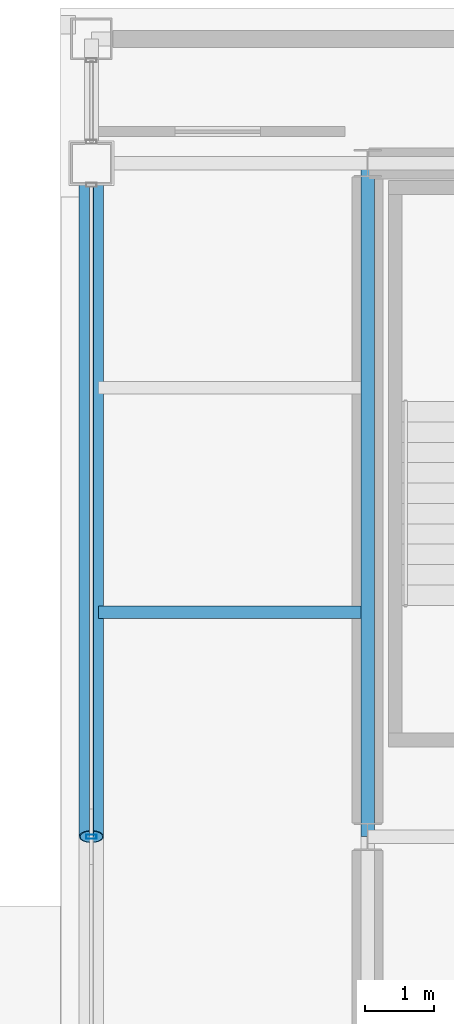
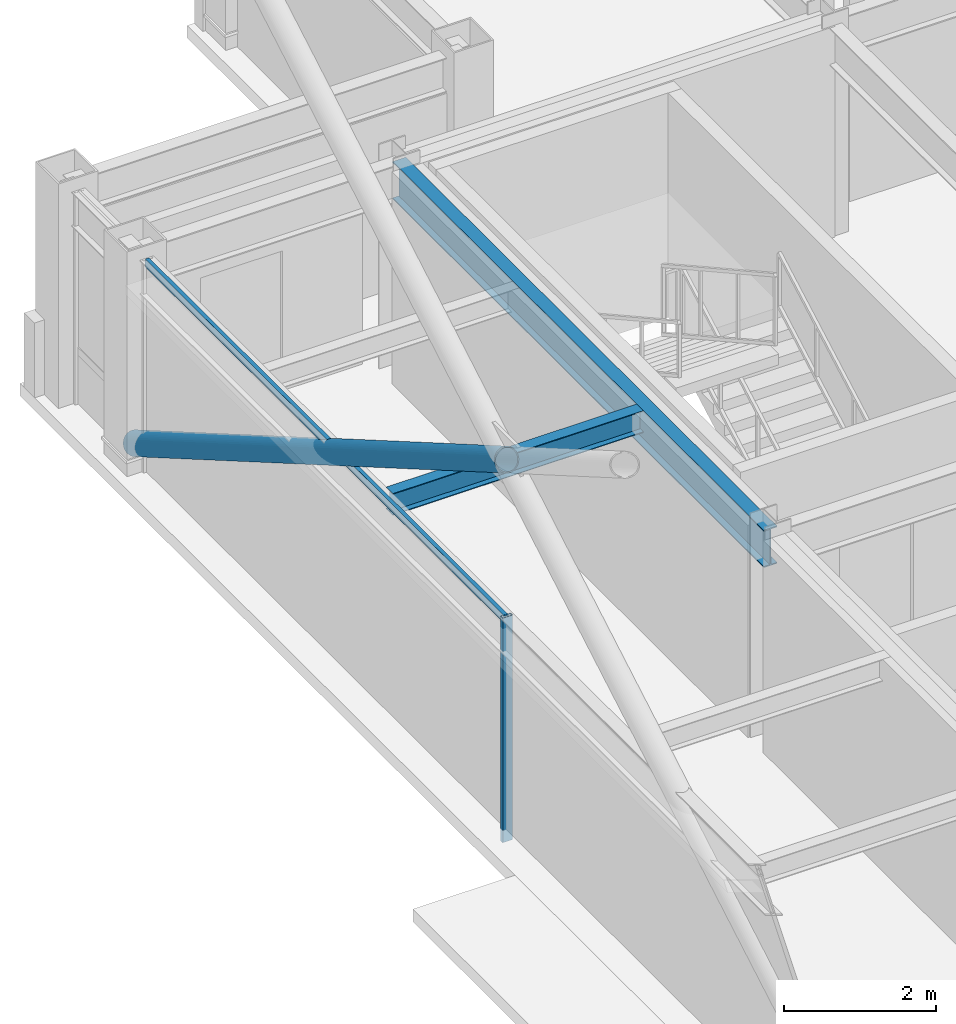
# One storey, part 8 of 24: 3 members, 2 beams, 1 element without a shape of its own.
"""IFC4 building model written with IfcOpenShell, lengths in metres."""

from ifc_helpers import new_model, si_unit, direction, frame, origin, origin_2d, place, context, subcontext, project, spatial, hollow_rectangle, hollow_circle, i_section, extrude, material, layer, layer_set, material_profile, profile_set, type_object, element, aggregate, save


model = new_model("IFC4")

# Units and contexts
model_context = context("Model", 3, precision=1e-05, world=origin(), true_north=direction((0.0, 1.0)))
body_context = subcontext(model_context, "Body", "Model", "MODEL_VIEW")
ifc_project = project(units=[si_unit("LENGTHUNIT", "METRE"), si_unit("AREAUNIT", "SQUARE_METRE"), si_unit("VOLUMEUNIT", "CUBIC_METRE"), si_unit("PLANEANGLEUNIT", "RADIAN"), si_unit("MASSUNIT", "GRAM", prefix="KILO")], contexts=[model_context])

# Site, building, storey
site_placement = place(None, origin())
site = spatial("IfcSite", under=ifc_project, at=site_placement, CompositionType="ELEMENT")
building_placement = place(site_placement, origin())
building = spatial("IfcBuilding", under=site, at=building_placement, Name="Brelmoor Portico Tower", CompositionType="ELEMENT")
storey_placement = place(building_placement, frame((0.0, 0.0, 268.800048828125)))
storey = spatial("IfcBuildingStorey", under=building, at=storey_placement, Name="L71", CompositionType="ELEMENT", Elevation=268.800048828125)

# Beams
ifc_material_1 = material(Name="Steel Q355B", Category="steel")
ifc_material_profile_1 = material_profile(ifc_material_1, i_section(OverallWidth=0.175048828125, OverallDepth=0.35009765625, WebThickness=0.007080078125, FlangeThickness=0.010986328125, at=origin_2d()), Name="HN 350x175x7x11")
ifc_profile_set_1 = profile_set([ifc_material_profile_1], Name="Steel Q355B")
beam_type_1 = type_object("IfcBeamType", Name="BM-JS-350", PredefinedType="JOIST", material=ifc_profile_set_1)
beam_1_placement = place(storey_placement, frame((-18.449951171875, 3.25, 3.224853515625), z_axis=(1.0, 0.0, 0.0), x_axis=(0.0, 1.0, 0.0)))
element("IfcBeam", 1, at=beam_1_placement, inside=storey, type_object=beam_type_1, Name="L71 Secondary Wing Joist JS-W09", PredefinedType="JOIST", context=body_context, shape_type="SweptSolid", body=[
    extrude(i_section(OverallWidth=0.175048828125, OverallDepth=0.35009765625, WebThickness=0.007080078125, FlangeThickness=0.010986328125, at=origin_2d()), origin(), (0.0, 0.0, 1.0), 3.800048828125),
])
ifc_material_profile_2 = material_profile(ifc_material_1, i_section(OverallWidth=0.199951171875, OverallDepth=0.60009765625, WebThickness=0.010986328125, FlangeThickness=0.01708984375, at=origin_2d()), Name="HN 600x200x11x17")
ifc_profile_set_2 = profile_set([ifc_material_profile_2], Name="Steel Q355B")
beam_type_2 = type_object("IfcBeamType", Name="BM-PG-600", PredefinedType="BEAM", material=ifc_profile_set_2)
beam_2_placement = place(storey_placement, frame((-14.550048828125, 0.0, 3.099853515625), z_axis=(0.0, 1.0, 0.0), x_axis=(-1.0, 0.0, 0.0)))
element("IfcBeam", 2, at=beam_2_placement, inside=storey, type_object=beam_type_2, Name="L71 Primary Floor Girder PG-02", PredefinedType="BEAM", context=body_context, shape_type="SweptSolid", body=[
    extrude(i_section(OverallWidth=0.199951171875, OverallDepth=0.60009765625, WebThickness=0.010986328125, FlangeThickness=0.01708984375, at=origin_2d()), origin(), (0.0, 0.0, 1.0), 9.75),
])

# Member
ifc_material_profile_3 = material_profile(ifc_material_1, hollow_circle(Radius=0.177978515625, WallThickness=0.01611328125, at=origin_2d()), Name="CHS 356x16")
ifc_profile_set_3 = profile_set([ifc_material_profile_3], Name="Steel Q355B")
member_type_1 = type_object("IfcMemberType", Name="MB-BELT-DIAG2", PredefinedType="BRACE", material=ifc_profile_set_3)
member_1_placement = place(storey_placement, frame((-18.550048828125, 9.75, 0.25), z_axis=(0.0, -0.86522745352, 0.501379550515), x_axis=(1.0, 0.0, 0.0)))
element("IfcMember", 3, at=member_1_placement, inside=storey, type_object=member_type_1, Name="L71 Split Mega-X Brace 161B1", PredefinedType="BRACE", context=body_context, shape_type="SweptSolid", body=[
    extrude(hollow_circle(Radius=0.177978515625, WallThickness=0.01611328125, at=origin_2d()), origin(), (0.0, 0.0, 1.0), 11.268798828125),
])

# Curtain wall, members
ifc_material_2 = material(Name="Anodised Aluminium Alloy 6063-T6", Category="aluminium")
ifc_layer = layer(ifc_material_2, 0.179931640625)
ifc_layer_set = layer_set([ifc_layer], Name="Anodised Aluminium Alloy 6063-T6")
curtain_wall_type = type_object("IfcCurtainWallType", Name="CW-TOWER-Z4-XB", PredefinedType="NOTDEFINED", material=ifc_layer_set)
curtain_wall_placement = place(storey_placement, origin())
curtain_wall = element("IfcCurtainWall", 4, at=curtain_wall_placement, inside=storey, type_object=curtain_wall_type, Name="L71 Curtain Wall CW-L71-03-2", PredefinedType="NOTDEFINED")
ifc_material_profile_4 = material_profile(ifc_material_2, hollow_rectangle(XDim=0.06005859375, YDim=0.14990234375, WallThickness=0.00390625, at=origin_2d()), Name="ALU MULLION 60x150")
ifc_profile_set_4 = profile_set([ifc_material_profile_4], Name="Anodised Aluminium Alloy 6063-T6")
member_type_2 = type_object("IfcMemberType", Name="MB-CW-MULL-150", PredefinedType="MULLION", material=ifc_profile_set_4)
member_2_placement = place(storey_placement, frame((-18.550048828125, 0.0, -0.199951171875), z_axis=(0.0, 0.0, 1.0), x_axis=(0.0, 1.0, 0.0)))
member_2 = element("IfcMember", 5, at=member_2_placement, type_object=member_type_2, Name="CW-L71-03-2 Mullion 01", PredefinedType="MULLION", context=body_context, shape_type="SweptSolid", body=[
    extrude(hollow_rectangle(XDim=0.06005859375, YDim=0.14990234375, WallThickness=0.00390625, at=origin_2d()), origin(), (0.0, 0.0, 1.0), 3.599853515625),
])
ifc_material_profile_5 = material_profile(ifc_material_2, hollow_rectangle(XDim=0.06005859375, YDim=0.125, WallThickness=0.00341796875, at=origin_2d()), Name="ALU TRANSOM 60x125")
ifc_profile_set_5 = profile_set([ifc_material_profile_5], Name="Anodised Aluminium Alloy 6063-T6")
member_type_3 = type_object("IfcMemberType", Name="MB-CW-TRAN-125", PredefinedType="USERDEFINED", material=ifc_profile_set_5)
member_3_placement = place(storey_placement, frame((-18.550048828125, 0.0, 3.33740234375), z_axis=(0.0, 1.0, 0.0), x_axis=(-1.0, 0.0, 0.0)))
member_3 = element("IfcMember", 6, at=member_3_placement, type_object=member_type_3, Name="CW-L71-03-2 Transom 1-01", ObjectType="TRANSOM", PredefinedType="USERDEFINED", context=body_context, shape_type="SweptSolid", body=[
    extrude(hollow_rectangle(XDim=0.06005859375, YDim=0.125, WallThickness=0.00341796875, at=origin_2d()), origin(), (0.0, 0.0, 1.0), 9.43994140625),
])
aggregate(curtain_wall, [member_2, member_3])

save(model, "model.ifc")
